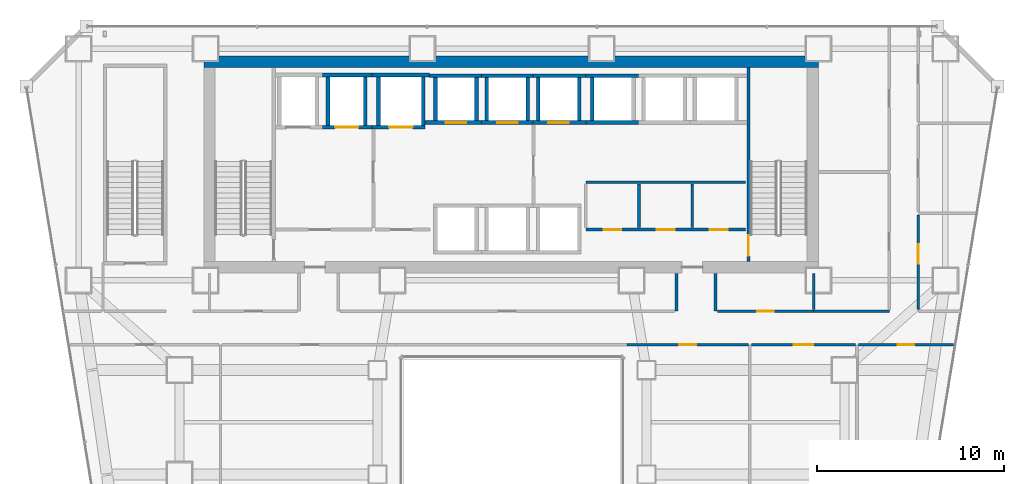
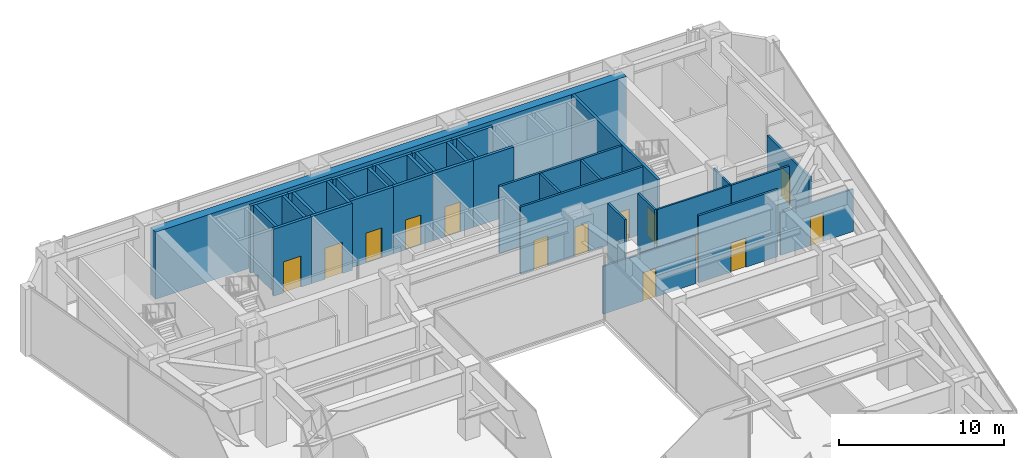
# One storey, part 38 of 42: 38 walls, 14 doors, 14 openings.
"""IFC4 building model written with IfcOpenShell, lengths in metres."""

from ifc_helpers import new_model, si_unit, direction, frame, frame_2d, origin, place, context, subcontext, project, spatial, rectangle, extrude, material, layer, layer_set, type_object, element, fill, save


model = new_model("IFC4")

# Units and contexts
model_context = context("Model", 3, precision=1e-05, world=origin(), true_north=direction((0.0, 1.0)))
body_context = subcontext(model_context, "Body", "Model", "MODEL_VIEW")
ifc_project = project(units=[si_unit("LENGTHUNIT", "METRE"), si_unit("AREAUNIT", "SQUARE_METRE"), si_unit("VOLUMEUNIT", "CUBIC_METRE"), si_unit("PLANEANGLEUNIT", "RADIAN"), si_unit("MASSUNIT", "GRAM", prefix="KILO")], contexts=[model_context])

# Site, building, storey
site_placement = place(None, origin())
site = spatial("IfcSite", under=ifc_project, at=site_placement, CompositionType="ELEMENT")
building_placement = place(site_placement, origin())
building = spatial("IfcBuilding", under=site, at=building_placement, Name="Saevonmaru Cultural Tower", CompositionType="ELEMENT")
storey_placement = place(building_placement, frame((0.0, 0.0, 33.0)))
storey = spatial("IfcBuildingStorey", under=building, at=storey_placement, Name="L06", CompositionType="ELEMENT", Elevation=33.0)

# Wall
ifc_material_1 = material(Name="Concrete C60/75", Category="concrete")
ifc_layer_1 = layer(ifc_material_1, 0.60009765625, Name="Concrete C60/75")
ifc_layer_set_1 = layer_set([ifc_layer_1], Name="Concrete C60/75")
wall_type_1 = type_object("IfcWallType", Name="WL-CORE-600", PredefinedType="SHEAR", material=ifc_layer_set_1)
wall_1_placement = place(storey_placement, frame((13.5, 54.10009765625, 0.0), z_axis=(0.0, 0.0, 1.0), x_axis=(1.0, 0.0, 0.0)))
element("IfcWall", 1, at=wall_1_placement, inside=storey, type_object=wall_type_1, Name="L06 Tower RC core shear wall N", PredefinedType="SHEAR", context=body_context, shape_type="SweptSolid", body=[
    extrude(rectangle(XDim=32.89990234375, YDim=0.60009765625, at=frame_2d((16.449951171875, 0.0))), origin(), (0.0, 0.0, 1.0), 4.949951171875),
])

# Wall, openings, doors
ifc_material_2 = material(Name="Gypsum Fireboard Partition", Category="gypsum")
ifc_layer_2 = layer(ifc_material_2, 0.14990234375, Name="Gypsum Fireboard Partition")
ifc_layer_set_2 = layer_set([ifc_layer_2], Name="Gypsum Fireboard Partition")
wall_type_2 = type_object("IfcWallType", Name="WL-CORE-PART-150", PredefinedType="PARTITIONING", material=ifc_layer_set_2)
wall_2_placement = place(storey_placement, frame((33.949951171875, 45.1201171875, 0.0), z_axis=(0.0, 0.0, 1.0), x_axis=(1.0, 0.0, 0.0)))
wall_2 = element("IfcWall", 2, at=wall_2_placement, inside=storey, type_object=wall_type_2, Name="L06 Core Utility South Wall", PredefinedType="PARTITIONING", context=body_context, shape_type="SweptSolid", body=[
    extrude(rectangle(XDim=8.550048828125, YDim=0.14990234375, at=frame_2d((4.27490234375, 0.0))), origin(), (0.0, 0.0, 1.0), 4.949951171875),
])
opening_1_placement = place(wall_2_placement, frame((0.949951171875, 0.0, 0.0)))
opening_1 = element("IfcOpeningElement", 3, at=opening_1_placement, cuts=wall_2, Name="Opening FD-4", PredefinedType="OPENING", context=body_context, shape_type="SweptSolid", body=[
    extrude(rectangle(XDim=0.949951171875, YDim=2.14990234375, at=frame_2d((0.47509765625, 1.074951171875))), frame((0.0, 0.0849609375, 0.0), z_axis=(0.0, -1.0, 0.0), x_axis=(1.0, 0.0, 0.0)), (0.0, 0.0, 1.0), 0.169921875),
])
opening_2_placement = place(wall_2_placement, frame((3.800048828125, 0.0, 0.0)))
opening_2 = element("IfcOpeningElement", 4, at=opening_2_placement, cuts=wall_2, Name="Opening FD-4", PredefinedType="OPENING", context=body_context, shape_type="SweptSolid", body=[
    extrude(rectangle(XDim=0.949951171875, YDim=2.14990234375, at=frame_2d((0.47509765625, 1.074951171875))), frame((0.0, 0.0849609375, 0.0), z_axis=(0.0, -1.0, 0.0), x_axis=(1.0, 0.0, 0.0)), (0.0, 0.0, 1.0), 0.169921875),
])
opening_3_placement = place(wall_2_placement, frame((6.64990234375, 0.0, 0.0)))
opening_3 = element("IfcOpeningElement", 5, at=opening_3_placement, cuts=wall_2, Name="Opening FD-4", PredefinedType="OPENING", context=body_context, shape_type="SweptSolid", body=[
    extrude(rectangle(XDim=0.949951171875, YDim=2.14990234375, at=frame_2d((0.47509765625, 1.074951171875))), frame((0.0, 0.0849609375, 0.0), z_axis=(0.0, -1.0, 0.0), x_axis=(1.0, 0.0, 0.0)), (0.0, 0.0, 1.0), 0.169921875),
])
ifc_material_3 = material(Name="Satin Bronze Anodised Aluminium", Category="aluminium")
door_type_1 = type_object("IfcDoorType", Name="DR-FD60-950", OperationType="SINGLE_SWING_LEFT", PredefinedType="DOOR", material=ifc_material_3)
door_1_placement = place(opening_1_placement, origin())
door_1 = element("IfcDoor", 6, at=door_1_placement, inside=storey, type_object=door_type_1, Name="L06 Meter Plant Door", OperationType="SINGLE_SWING_LEFT", OverallHeight=2.14990234375, OverallWidth=0.949951171875, PredefinedType="DOOR", context=body_context, shape_type="SweptSolid", body=[
    extrude(rectangle(XDim=0.949951171875, YDim=2.14990234375, at=frame_2d((0.47509765625, 1.074951171875))), frame((0.0, 0.02490234375, 0.0), z_axis=(0.0, -1.0, 0.0), x_axis=(1.0, 0.0, 0.0)), (0.0, 0.0, 1.0), 0.050048828125),
])
fill(opening_1, door_1)
door_2_placement = place(opening_2_placement, origin())
door_2 = element("IfcDoor", 7, at=door_2_placement, inside=storey, type_object=door_type_1, Name="L06 AV Rack Plant Door", OperationType="SINGLE_SWING_LEFT", OverallHeight=2.14990234375, OverallWidth=0.949951171875, PredefinedType="DOOR", context=body_context, shape_type="SweptSolid", body=[
    extrude(rectangle(XDim=0.949951171875, YDim=2.14990234375, at=frame_2d((0.47509765625, 1.074951171875))), frame((0.0, 0.02490234375, 0.0), z_axis=(0.0, -1.0, 0.0), x_axis=(1.0, 0.0, 0.0)), (0.0, 0.0, 1.0), 0.050048828125),
])
fill(opening_2, door_2)
door_3_placement = place(opening_3_placement, origin())
door_3 = element("IfcDoor", 8, at=door_3_placement, inside=storey, type_object=door_type_1, Name="L06 Archive Supply Storage Door", OperationType="SINGLE_SWING_LEFT", OverallHeight=2.14990234375, OverallWidth=0.949951171875, PredefinedType="DOOR", context=body_context, shape_type="SweptSolid", body=[
    extrude(rectangle(XDim=0.949951171875, YDim=2.14990234375, at=frame_2d((0.47509765625, 1.074951171875))), frame((0.0, 0.02490234375, 0.0), z_axis=(0.0, -1.0, 0.0), x_axis=(1.0, 0.0, 0.0)), (0.0, 0.0, 1.0), 0.050048828125),
])
fill(opening_3, door_3)

# Walls
wall_3_placement = place(storey_placement, frame((33.949951171875, 47.64990234375, 0.0), z_axis=(0.0, 0.0, 1.0), x_axis=(1.0, 0.0, 0.0)))
element("IfcWall", 9, at=wall_3_placement, inside=storey, type_object=wall_type_2, Name="L06 Core Utility North Wall", PredefinedType="PARTITIONING", context=body_context, shape_type="SweptSolid", body=[
    extrude(rectangle(XDim=8.550048828125, YDim=0.14990234375, at=frame_2d((4.27490234375, 0.0))), origin(), (0.0, 0.0, 1.0), 4.949951171875),
])
for number, where, z_axis, x_axis, name in (
    (10, (36.800048828125, 45.219970703125, 0.0), (0.0, 0.0, 1.0), (0.0, 1.0, 0.0), "L06 Utility Divider 1"),
    (11, (39.64990234375, 45.219970703125, 0.0), (0.0, 0.0, 1.0), (0.0, 1.0, 0.0), "L06 Utility Divider 2"),
):
    element("IfcWall", number, at=place(storey_placement, frame(where, z_axis=z_axis, x_axis=x_axis)), inside=storey, type_object=wall_type_2, Name=name, PredefinedType="PARTITIONING", context=body_context, shape_type="SweptSolid", body=[
        extrude(rectangle(XDim=2.330078125, YDim=0.14990234375, at=frame_2d((1.1650390625, 0.0))), origin(), (0.0, 0.0, 1.0), 4.949951171875),
    ])

# Wall, opening, door
ifc_layer_3 = layer(ifc_material_2, 0.14990234375, Name="Gypsum Fireboard Partition")
ifc_layer_set_3 = layer_set([ifc_layer_3], Name="Gypsum Fireboard Partition")
wall_type_3 = type_object("IfcWallType", Name="WL-PART-FIRE-150", PredefinedType="PARTITIONING", material=ifc_layer_set_3)
wall_4_placement = place(storey_placement, frame((51.75, 40.83740234375, 0.0), z_axis=(0.0, 0.0, 1.0), x_axis=(0.0, 1.0, 0.0)))
wall_4 = element("IfcWall", 12, at=wall_4_placement, inside=storey, type_object=wall_type_3, Name="L06 Permanent Exhibition Gallery Corridor Wall", PredefinedType="PARTITIONING", context=body_context, shape_type="SweptSolid", body=[
    extrude(rectangle(XDim=5.0751953125, YDim=0.14990234375, at=frame_2d((2.53759765625, 0.0))), origin(), (0.0, 0.0, 1.0), 3.534912109375),
])
opening_4_placement = place(wall_4_placement, frame((2.452880859375, 0.0, 0.0)))
opening_4 = element("IfcOpeningElement", 13, at=opening_4_placement, cuts=wall_4, Name="Opening ID-1", PredefinedType="OPENING", context=body_context, shape_type="SweptSolid", body=[
    extrude(rectangle(XDim=1.050048828125, YDim=2.14990234375, at=frame_2d((0.52490234375, 1.074951171875))), frame((0.0, 0.0849609375, 0.0), z_axis=(0.0, -1.0, 0.0), x_axis=(1.0, 0.0, 0.0)), (0.0, 0.0, 1.0), 0.169921875),
])
door_type_2 = type_object("IfcDoorType", Name="DR-INT-1050", OperationType="SINGLE_SWING_LEFT", PredefinedType="DOOR", material=ifc_material_3)
door_4_placement = place(opening_4_placement, origin())
door_4 = element("IfcDoor", 14, at=door_4_placement, inside=storey, type_object=door_type_2, Name="L06 Permanent Exhibition Gallery Door", OperationType="SINGLE_SWING_RIGHT", OverallHeight=2.14990234375, OverallWidth=1.050048828125, PredefinedType="DOOR", context=body_context, shape_type="SweptSolid", body=[
    extrude(rectangle(XDim=1.050048828125, YDim=2.14990234375, at=frame_2d((0.52490234375, 1.074951171875))), frame((0.0, 0.02490234375, 0.0), z_axis=(0.0, -1.0, 0.0), x_axis=(1.0, 0.0, 0.0)), (0.0, 0.0, 1.0), 0.050048828125),
])
fill(opening_4, door_4)

# Walls
for number, where, z_axis, x_axis, name in (
    (15, (38.800048828125, 40.75, 0.0), (0.0, 0.0, 1.0), (0.0, 1.0, 0.0), "L06 Core Portal Side Wall E1"),
    (16, (40.89990234375, 40.75, 0.0), (0.0, 0.0, 1.0), (0.0, 1.0, 0.0), "L06 Core Portal Side Wall E2"),
):
    element("IfcWall", number, at=place(storey_placement, frame(where, z_axis=z_axis, x_axis=x_axis)), inside=storey, type_object=wall_type_3, Name=name, PredefinedType="PARTITIONING", context=body_context, shape_type="SweptSolid", body=[
        extrude(rectangle(XDim=2.030029296875, YDim=0.14990234375, at=frame_2d((1.01513671875, 0.0))), origin(), (0.0, 0.0, 1.0), 4.949951171875),
    ])

# Wall, opening, door
wall_5_placement = place(storey_placement, frame((42.827392578125, 38.949951171875, 0.0), z_axis=(0.0, 0.0, 1.0), x_axis=(1.0, 0.0, 0.0)))
wall_5 = element("IfcWall", 17, at=wall_5_placement, inside=storey, type_object=wall_type_3, Name="L06 Permanent Exhibition Gallery Corridor Wall", PredefinedType="PARTITIONING", context=body_context, shape_type="SweptSolid", body=[
    extrude(rectangle(XDim=5.55517578125, YDim=0.14990234375, at=frame_2d((2.777587890625, 0.0))), origin(), (0.0, 0.0, 1.0), 4.949951171875),
])
opening_5_placement = place(wall_5_placement, frame((2.251953125, 0.0, 0.0)))
opening_5 = element("IfcOpeningElement", 18, at=opening_5_placement, cuts=wall_5, Name="Opening ID-1", PredefinedType="OPENING", context=body_context, shape_type="SweptSolid", body=[
    extrude(rectangle(XDim=1.050048828125, YDim=2.14990234375, at=frame_2d((0.52490234375, 1.074951171875))), frame((0.0, 0.0849609375, 0.0), z_axis=(0.0, -1.0, 0.0), x_axis=(1.0, 0.0, 0.0)), (0.0, 0.0, 1.0), 0.169921875),
])
door_5_placement = place(opening_5_placement, origin())
door_5 = element("IfcDoor", 19, at=door_5_placement, inside=storey, type_object=door_type_2, Name="L06 Permanent Exhibition Gallery Door", OperationType="SINGLE_SWING_LEFT", OverallHeight=2.14990234375, OverallWidth=1.050048828125, PredefinedType="DOOR", context=body_context, shape_type="SweptSolid", body=[
    extrude(rectangle(XDim=1.050048828125, YDim=2.14990234375, at=frame_2d((0.52490234375, 1.074951171875))), frame((0.0, 0.02490234375, 0.0), z_axis=(0.0, -1.0, 0.0), x_axis=(1.0, 0.0, 0.0)), (0.0, 0.0, 1.0), 0.050048828125),
])
fill(opening_5, door_5)

ifc_layer_4 = layer(ifc_material_2, 0.1201171875, Name="Gypsum Fireboard Partition")
ifc_layer_set_4 = layer_set([ifc_layer_4], Name="Gypsum Fireboard Partition")
wall_type_4 = type_object("IfcWallType", Name="WL-PART-GYP-120", PredefinedType="PARTITIONING", material=ifc_layer_set_4)
wall_6_placement = place(storey_placement, frame((40.9951171875, 40.75, 0.0), z_axis=(0.0, 0.0, 1.0), x_axis=(1.0, 0.0, 0.0)))
wall_6 = element("IfcWall", 20, at=wall_6_placement, inside=storey, type_object=wall_type_4, Name="L06 Editorial Fellows Office Corridor Wall", PredefinedType="PARTITIONING", context=body_context, shape_type="SweptSolid", body=[
    extrude(rectangle(XDim=5.15478515625, YDim=0.1201171875, at=frame_2d((2.577392578125, 0.0))), origin(), (0.0, 0.0, 1.0), 4.949951171875),
])
opening_6_placement = place(wall_6_placement, frame((2.1279296875, 0.0, 0.0)))
opening_6 = element("IfcOpeningElement", 21, at=opening_6_placement, cuts=wall_6, Name="Opening ID-2", PredefinedType="OPENING", context=body_context, shape_type="SweptSolid", body=[
    extrude(rectangle(XDim=0.89990234375, YDim=2.10009765625, at=frame_2d((0.449951171875, 1.050048828125))), frame((0.0, 0.070068359375, 0.0), z_axis=(0.0, -1.0, 0.0), x_axis=(1.0, 0.0, 0.0)), (0.0, 0.0, 1.0), 0.14013671875),
])
ifc_material_4 = material(Name="Acoustic Stained Oak Timber", Category="wood")
door_type_3 = type_object("IfcDoorType", Name="DR-INT-900", OperationType="SINGLE_SWING_RIGHT", PredefinedType="DOOR", material=ifc_material_4)
door_6_placement = place(opening_6_placement, origin())
door_6 = element("IfcDoor", 22, at=door_6_placement, inside=storey, type_object=door_type_3, Name="L06 Editorial Fellows Office Door", OperationType="SINGLE_SWING_LEFT", OverallHeight=2.10009765625, OverallWidth=0.89990234375, PredefinedType="DOOR", context=body_context, shape_type="SweptSolid", body=[
    extrude(rectangle(XDim=0.89990234375, YDim=2.10009765625, at=frame_2d((0.449951171875, 1.050048828125))), frame((0.0, 0.02490234375, 0.0), z_axis=(0.0, -1.0, 0.0), x_axis=(1.0, 0.0, 0.0)), (0.0, 0.0, 1.0), 0.050048828125),
])
fill(opening_6, door_6)

wall_7_placement = place(storey_placement, frame((36.14990234375, 38.949951171875, 0.0), z_axis=(0.0, 0.0, 1.0), x_axis=(1.0, 0.0, 0.0)))
wall_7 = element("IfcWall", 23, at=wall_7_placement, inside=storey, type_object=wall_type_4, Name="L06 Editorial Fellows Office Corridor Wall", PredefinedType="PARTITIONING", context=body_context, shape_type="SweptSolid", body=[
    extrude(rectangle(XDim=6.502685546875, YDim=0.1201171875, at=frame_2d((3.25146484375, 0.0))), origin(), (0.0, 0.0, 1.0), 3.534912109375),
])
opening_7_placement = place(wall_7_placement, frame((2.801025390625, 0.0, 0.0)))
opening_7 = element("IfcOpeningElement", 24, at=opening_7_placement, cuts=wall_7, Name="Opening ID-2", PredefinedType="OPENING", context=body_context, shape_type="SweptSolid", body=[
    extrude(rectangle(XDim=0.89990234375, YDim=2.10009765625, at=frame_2d((0.449951171875, 1.050048828125))), frame((0.0, 0.070068359375, 0.0), z_axis=(0.0, -1.0, 0.0), x_axis=(1.0, 0.0, 0.0)), (0.0, 0.0, 1.0), 0.14013671875),
])
door_7_placement = place(opening_7_placement, origin())
door_7 = element("IfcDoor", 25, at=door_7_placement, inside=storey, type_object=door_type_3, Name="L06 Editorial Fellows Office Door", OperationType="SINGLE_SWING_RIGHT", OverallHeight=2.10009765625, OverallWidth=0.89990234375, PredefinedType="DOOR", context=body_context, shape_type="SweptSolid", body=[
    extrude(rectangle(XDim=0.89990234375, YDim=2.10009765625, at=frame_2d((0.449951171875, 1.050048828125))), frame((0.0, 0.02490234375, 0.0), z_axis=(0.0, -1.0, 0.0), x_axis=(1.0, 0.0, 0.0)), (0.0, 0.0, 1.0), 0.050048828125),
])
fill(opening_7, door_7)

wall_8_placement = place(storey_placement, frame((48.5576171875, 38.949951171875, 0.0), z_axis=(0.0, 0.0, 1.0), x_axis=(1.0, 0.0, 0.0)))
wall_8 = element("IfcWall", 26, at=wall_8_placement, inside=storey, type_object=wall_type_4, Name="L06 Design Seminar Classroom Corridor Wall", PredefinedType="PARTITIONING", context=body_context, shape_type="SweptSolid", body=[
    extrude(rectangle(XDim=5.07958984375, YDim=0.1201171875, at=frame_2d((2.539794921875, 0.0))), origin(), (0.0, 0.0, 1.0), 3.135009765625),
])
opening_8_placement = place(wall_8_placement, frame((2.090087890625, 0.0, 0.0)))
opening_8 = element("IfcOpeningElement", 27, at=opening_8_placement, cuts=wall_8, Name="Opening ID-2", PredefinedType="OPENING", context=body_context, shape_type="SweptSolid", body=[
    extrude(rectangle(XDim=0.89990234375, YDim=2.10009765625, at=frame_2d((0.449951171875, 1.050048828125))), frame((0.0, 0.070068359375, 0.0), z_axis=(0.0, -1.0, 0.0), x_axis=(1.0, 0.0, 0.0)), (0.0, 0.0, 1.0), 0.14013671875),
])
door_8_placement = place(opening_8_placement, origin())
door_8 = element("IfcDoor", 28, at=door_8_placement, inside=storey, type_object=door_type_3, Name="L06 Design Seminar Classroom Door", OperationType="SINGLE_SWING_RIGHT", OverallHeight=2.10009765625, OverallWidth=0.89990234375, PredefinedType="DOOR", context=body_context, shape_type="SweptSolid", body=[
    extrude(rectangle(XDim=0.89990234375, YDim=2.10009765625, at=frame_2d((0.449951171875, 1.050048828125))), frame((0.0, 0.02490234375, 0.0), z_axis=(0.0, -1.0, 0.0), x_axis=(1.0, 0.0, 0.0)), (0.0, 0.0, 1.0), 0.050048828125),
])
fill(opening_8, door_8)

# Walls
ifc_layer_5 = layer(ifc_material_2, 0.139892578125, Name="Gypsum Fireboard Partition")
ifc_layer_set_5 = layer_set([ifc_layer_5], Name="Gypsum Fireboard Partition")
wall_type_5 = type_object("IfcWallType", Name="WL-PART-WET-140", PredefinedType="PARTITIONING", material=ifc_layer_set_5)
wall_9_placement = place(storey_placement, frame((46.14990234375, 40.75, 0.0), z_axis=(0.0, 0.0, 1.0), x_axis=(1.0, 0.0, 0.0)))
element("IfcWall", 29, at=wall_9_placement, inside=storey, type_object=wall_type_5, Name="L06 Washroom South Wall", PredefinedType="PARTITIONING", context=body_context, shape_type="SweptSolid", body=[
    extrude(rectangle(XDim=4.050048828125, YDim=0.139892578125, at=frame_2d((2.02490234375, 0.0))), origin(), (0.0, 0.0, 1.0), 4.949951171875),
])
wall_10_placement = place(storey_placement, frame((46.14990234375, 40.840087890625, 0.0), z_axis=(0.0, 0.0, 1.0), x_axis=(0.0, 1.0, 0.0)))
element("IfcWall", 30, at=wall_10_placement, inside=storey, type_object=wall_type_5, Name="L06 Washroom South-West Return", PredefinedType="PARTITIONING", context=body_context, shape_type="SweptSolid", body=[
    extrude(rectangle(XDim=1.93994140625, YDim=0.139892578125, at=frame_2d((0.969970703125, 0.0))), origin(), (0.0, 0.0, 1.0), 4.949951171875),
])

# Wall, opening, door
ifc_material_5 = material(Name="Concrete C40/50", Category="concrete")
ifc_layer_6 = layer(ifc_material_5, 0.199951171875, Name="Concrete C40/50")
ifc_layer_set_6 = layer_set([ifc_layer_6], Name="Concrete C40/50")
wall_type_6 = type_object("IfcWallType", Name="WL-SHAFT-200", PredefinedType="SHEAR", material=ifc_layer_set_6)
wall_11_placement = place(storey_placement, frame((19.85009765625, 50.60009765625, 0.0), z_axis=(0.0, 0.0, 1.0), x_axis=(1.0, 0.0, 0.0)))
wall_11 = element("IfcWall", 31, at=wall_11_placement, inside=storey, type_object=wall_type_6, Name="L06 Lift FFL-2 Hoistway Wall S", PredefinedType="SHEAR", context=body_context, shape_type="SweptSolid", body=[
    extrude(rectangle(XDim=2.64990234375, YDim=0.199951171875, at=frame_2d((1.324951171875, 0.0))), origin(), (0.0, 0.0, 1.0), 4.949951171875),
])
opening_9_placement = place(wall_11_placement, frame((0.675048828125, 0.0, 0.0)))
opening_9 = element("IfcOpeningElement", 32, at=opening_9_placement, cuts=wall_11, Name="Opening LD-2", PredefinedType="OPENING", context=body_context, shape_type="SweptSolid", body=[
    extrude(rectangle(XDim=1.25, YDim=2.300048828125, at=frame_2d((0.625, 1.14990234375))), frame((0.0, 0.10986328125, 0.0), z_axis=(0.0, -1.0, 0.0), x_axis=(1.0, 0.0, 0.0)), (0.0, 0.0, 1.0), 0.219970703125),
])
ifc_material_6 = material(Name="Stainless Steel 316", Category="steel")
door_type_4 = type_object("IfcDoorType", Name="DR-LIFT-1250", OperationType="SLIDING_TO_LEFT", PredefinedType="DOOR", material=ifc_material_6)
door_9_placement = place(opening_9_placement, origin())
door_9 = element("IfcDoor", 33, at=door_9_placement, inside=storey, type_object=door_type_4, Name="L06 Lift FFL-2 Sliding Landing Door", OperationType="SLIDING_TO_LEFT", OverallHeight=2.300048828125, OverallWidth=1.25, PredefinedType="DOOR", context=body_context, shape_type="SweptSolid", body=[
    extrude(rectangle(XDim=1.25, YDim=2.300048828125, at=frame_2d((0.625, 1.14990234375))), frame((0.0, 0.02490234375, 0.0), z_axis=(0.0, -1.0, 0.0), x_axis=(1.0, 0.0, 0.0)), (0.0, 0.0, 1.0), 0.050048828125),
])
fill(opening_9, door_9)

# Walls
wall_12_placement = place(storey_placement, frame((19.85009765625, 53.39990234375, 0.0), z_axis=(0.0, 0.0, 1.0), x_axis=(1.0, 0.0, 0.0)))
element("IfcWall", 34, at=wall_12_placement, inside=storey, type_object=wall_type_6, Name="L06 Lift FFL-2 Hoistway Wall N", PredefinedType="SHEAR", context=body_context, shape_type="SweptSolid", body=[
    extrude(rectangle(XDim=2.64990234375, YDim=0.199951171875, at=frame_2d((1.324951171875, 0.0))), origin(), (0.0, 0.0, 1.0), 4.949951171875),
])
for number, where, z_axis, x_axis, name in (
    (35, (20.14990234375, 50.699951171875, 0.0), (0.0, 0.0, 1.0), (0.0, 1.0, 0.0), "L06 Lift FFL-2 Hoistway Wall W"),
    (36, (22.14990234375, 50.699951171875, 0.0), (0.0, 0.0, 1.0), (0.0, 1.0, 0.0), "L06 Lift FFL-2 Hoistway Wall E"),
):
    element("IfcWall", number, at=place(storey_placement, frame(where, z_axis=z_axis, x_axis=x_axis)), inside=storey, type_object=wall_type_6, Name=name, PredefinedType="SHEAR", context=body_context, shape_type="SweptSolid", body=[
        extrude(rectangle(XDim=2.60009765625, YDim=0.199951171875, at=frame_2d((1.300048828125, 0.0))), origin(), (0.0, 0.0, 1.0), 4.949951171875),
    ])

# Wall, opening, door
wall_13_placement = place(storey_placement, frame((22.5, 50.60009765625, 0.0), z_axis=(0.0, 0.0, 1.0), x_axis=(1.0, 0.0, 0.0)))
wall_13 = element("IfcWall", 37, at=wall_13_placement, inside=storey, type_object=wall_type_6, Name="L06 Lift GL-1 Hoistway Wall S", PredefinedType="SHEAR", context=body_context, shape_type="SweptSolid", body=[
    extrude(rectangle(XDim=2.85009765625, YDim=0.199951171875, at=frame_2d((1.425048828125, 0.0))), origin(), (0.0, 0.0, 1.0), 4.949951171875),
])
opening_10_placement = place(wall_13_placement, frame((0.925048828125, 0.0, 0.0)))
opening_10 = element("IfcOpeningElement", 38, at=opening_10_placement, cuts=wall_13, Name="Opening LD-2", PredefinedType="OPENING", context=body_context, shape_type="SweptSolid", body=[
    extrude(rectangle(XDim=1.25, YDim=2.300048828125, at=frame_2d((0.625, 1.14990234375))), frame((0.0, 0.10986328125, 0.0), z_axis=(0.0, -1.0, 0.0), x_axis=(1.0, 0.0, 0.0)), (0.0, 0.0, 1.0), 0.219970703125),
])
door_10_placement = place(opening_10_placement, origin())
door_10 = element("IfcDoor", 39, at=door_10_placement, inside=storey, type_object=door_type_4, Name="L06 Lift GL-1 Sliding Landing Door", OperationType="SLIDING_TO_LEFT", OverallHeight=2.300048828125, OverallWidth=1.25, PredefinedType="DOOR", context=body_context, shape_type="SweptSolid", body=[
    extrude(rectangle(XDim=1.25, YDim=2.300048828125, at=frame_2d((0.625, 1.14990234375))), frame((0.0, 0.02490234375, 0.0), z_axis=(0.0, -1.0, 0.0), x_axis=(1.0, 0.0, 0.0)), (0.0, 0.0, 1.0), 0.050048828125),
])
fill(opening_10, door_10)

# Walls
wall_14_placement = place(storey_placement, frame((22.5, 53.39990234375, 0.0), z_axis=(0.0, 0.0, 1.0), x_axis=(1.0, 0.0, 0.0)))
element("IfcWall", 40, at=wall_14_placement, inside=storey, type_object=wall_type_6, Name="L06 Lift GL-1 Hoistway Wall N", PredefinedType="SHEAR", context=body_context, shape_type="SweptSolid", body=[
    extrude(rectangle(XDim=3.074951171875, YDim=0.199951171875, at=frame_2d((1.53759765625, 0.0))), origin(), (0.0, 0.0, 1.0), 4.949951171875),
])
for number, where, z_axis, x_axis, name in (
    (41, (22.85009765625, 50.699951171875, 0.0), (0.0, 0.0, 1.0), (0.0, 1.0, 0.0), "L06 Lift GL-1 Hoistway Wall W"),
    (42, (25.25, 50.699951171875, 0.0), (0.0, 0.0, 1.0), (0.0, 1.0, 0.0), "L06 Lift GL-1 Hoistway Wall E"),
):
    element("IfcWall", number, at=place(storey_placement, frame(where, z_axis=z_axis, x_axis=x_axis)), inside=storey, type_object=wall_type_6, Name=name, PredefinedType="SHEAR", context=body_context, shape_type="SweptSolid", body=[
        extrude(rectangle(XDim=2.60009765625, YDim=0.199951171875, at=frame_2d((1.300048828125, 0.0))), origin(), (0.0, 0.0, 1.0), 4.949951171875),
    ])

# Wall, opening, door
wall_15_placement = place(storey_placement, frame((25.35009765625, 50.85009765625, 0.0), z_axis=(0.0, 0.0, 1.0), x_axis=(1.0, 0.0, 0.0)))
wall_15 = element("IfcWall", 43, at=wall_15_placement, inside=storey, type_object=wall_type_6, Name="L06 Lift PL-L1 Hoistway Wall S", PredefinedType="SHEAR", context=body_context, shape_type="SweptSolid", body=[
    extrude(rectangle(XDim=3.02490234375, YDim=0.199951171875, at=frame_2d((1.512451171875, 0.0))), origin(), (0.0, 0.0, 1.0), 4.949951171875),
])
opening_11_placement = place(wall_15_placement, frame((1.10009765625, 0.0, 0.0)))
opening_11 = element("IfcOpeningElement", 44, at=opening_11_placement, cuts=wall_15, Name="Opening LD-1", PredefinedType="OPENING", context=body_context, shape_type="SweptSolid", body=[
    extrude(rectangle(XDim=1.10009765625, YDim=2.199951171875, at=frame_2d((0.550048828125, 1.10009765625))), frame((0.0, 0.10986328125, 0.0), z_axis=(0.0, -1.0, 0.0), x_axis=(1.0, 0.0, 0.0)), (0.0, 0.0, 1.0), 0.219970703125),
])
ifc_material_7 = material(Name="Satin Bronze Stainless Steel", Category="steel")
door_type_5 = type_object("IfcDoorType", Name="DR-LIFT-1100", OperationType="SLIDING_TO_LEFT", PredefinedType="DOOR", material=ifc_material_7)
door_11_placement = place(opening_11_placement, origin())
door_11 = element("IfcDoor", 45, at=door_11_placement, inside=storey, type_object=door_type_5, Name="L06 Lift PL-L1 Sliding Landing Door", OperationType="SLIDING_TO_LEFT", OverallHeight=2.199951171875, OverallWidth=1.10009765625, PredefinedType="DOOR", context=body_context, shape_type="SweptSolid", body=[
    extrude(rectangle(XDim=1.10009765625, YDim=2.199951171875, at=frame_2d((0.550048828125, 1.10009765625))), frame((0.0, 0.02490234375, 0.0), z_axis=(0.0, -1.0, 0.0), x_axis=(1.0, 0.0, 0.0)), (0.0, 0.0, 1.0), 0.050048828125),
])
fill(opening_11, door_11)

# Walls
wall_16_placement = place(storey_placement, frame((25.574951171875, 53.35009765625, 0.0), z_axis=(0.0, 0.0, 1.0), x_axis=(1.0, 0.0, 0.0)))
element("IfcWall", 46, at=wall_16_placement, inside=storey, type_object=wall_type_6, Name="L06 Lift PL-L1 Hoistway Wall N", PredefinedType="SHEAR", context=body_context, shape_type="SweptSolid", body=[
    extrude(rectangle(XDim=2.800048828125, YDim=0.199951171875, at=frame_2d((1.39990234375, 0.0))), origin(), (0.0, 0.0, 1.0), 4.949951171875),
])
for number, where, z_axis, x_axis, name in (
    (47, (25.89990234375, 50.949951171875, 0.0), (0.0, 0.0, 1.0), (0.0, 1.0, 0.0), "L06 Lift PL-L1 Hoistway Wall W"),
    (48, (28.10009765625, 50.949951171875, 0.0), (0.0, 0.0, 1.0), (0.0, 1.0, 0.0), "L06 Lift PL-L1 Hoistway Wall E"),
):
    element("IfcWall", number, at=place(storey_placement, frame(where, z_axis=z_axis, x_axis=x_axis)), inside=storey, type_object=wall_type_6, Name=name, PredefinedType="SHEAR", context=body_context, shape_type="SweptSolid", body=[
        extrude(rectangle(XDim=2.300048828125, YDim=0.199951171875, at=frame_2d((1.14990234375, 0.0))), origin(), (0.0, 0.0, 1.0), 4.949951171875),
    ])

# Wall, opening, door
wall_17_placement = place(storey_placement, frame((28.375, 50.85009765625, 0.0), z_axis=(0.0, 0.0, 1.0), x_axis=(1.0, 0.0, 0.0)))
wall_17 = element("IfcWall", 49, at=wall_17_placement, inside=storey, type_object=wall_type_6, Name="L06 Lift PL-L2 Hoistway Wall S", PredefinedType="SHEAR", context=body_context, shape_type="SweptSolid", body=[
    extrude(rectangle(XDim=2.75, YDim=0.199951171875, at=frame_2d((1.375, 0.0))), origin(), (0.0, 0.0, 1.0), 4.949951171875),
])
opening_12_placement = place(wall_17_placement, frame((0.824951171875, 0.0, 0.0)))
opening_12 = element("IfcOpeningElement", 50, at=opening_12_placement, cuts=wall_17, Name="Opening LD-1", PredefinedType="OPENING", context=body_context, shape_type="SweptSolid", body=[
    extrude(rectangle(XDim=1.10009765625, YDim=2.199951171875, at=frame_2d((0.550048828125, 1.10009765625))), frame((0.0, 0.10986328125, 0.0), z_axis=(0.0, -1.0, 0.0), x_axis=(1.0, 0.0, 0.0)), (0.0, 0.0, 1.0), 0.219970703125),
])
door_12_placement = place(opening_12_placement, origin())
door_12 = element("IfcDoor", 51, at=door_12_placement, inside=storey, type_object=door_type_5, Name="L06 Lift PL-L2 Sliding Landing Door", OperationType="SLIDING_TO_LEFT", OverallHeight=2.199951171875, OverallWidth=1.10009765625, PredefinedType="DOOR", context=body_context, shape_type="SweptSolid", body=[
    extrude(rectangle(XDim=1.10009765625, YDim=2.199951171875, at=frame_2d((0.550048828125, 1.10009765625))), frame((0.0, 0.02490234375, 0.0), z_axis=(0.0, -1.0, 0.0), x_axis=(1.0, 0.0, 0.0)), (0.0, 0.0, 1.0), 0.050048828125),
])
fill(opening_12, door_12)

# Walls
wall_18_placement = place(storey_placement, frame((28.375, 53.35009765625, 0.0), z_axis=(0.0, 0.0, 1.0), x_axis=(1.0, 0.0, 0.0)))
element("IfcWall", 52, at=wall_18_placement, inside=storey, type_object=wall_type_6, Name="L06 Lift PL-L2 Hoistway Wall N", PredefinedType="SHEAR", context=body_context, shape_type="SweptSolid", body=[
    extrude(rectangle(XDim=2.75, YDim=0.199951171875, at=frame_2d((1.375, 0.0))), origin(), (0.0, 0.0, 1.0), 4.949951171875),
])
for number, where, z_axis, x_axis, name in (
    (53, (28.64990234375, 50.949951171875, 0.0), (0.0, 0.0, 1.0), (0.0, 1.0, 0.0), "L06 Lift PL-L2 Hoistway Wall W"),
    (54, (30.85009765625, 50.949951171875, 0.0), (0.0, 0.0, 1.0), (0.0, 1.0, 0.0), "L06 Lift PL-L2 Hoistway Wall E"),
):
    element("IfcWall", number, at=place(storey_placement, frame(where, z_axis=z_axis, x_axis=x_axis)), inside=storey, type_object=wall_type_6, Name=name, PredefinedType="SHEAR", context=body_context, shape_type="SweptSolid", body=[
        extrude(rectangle(XDim=2.300048828125, YDim=0.199951171875, at=frame_2d((1.14990234375, 0.0))), origin(), (0.0, 0.0, 1.0), 4.949951171875),
    ])

# Wall, opening, door
wall_19_placement = place(storey_placement, frame((31.125, 50.85009765625, 0.0), z_axis=(0.0, 0.0, 1.0), x_axis=(1.0, 0.0, 0.0)))
wall_19 = element("IfcWall", 55, at=wall_19_placement, inside=storey, type_object=wall_type_6, Name="L06 Lift PL-L3 Hoistway Wall S", PredefinedType="SHEAR", context=body_context, shape_type="SweptSolid", body=[
    extrude(rectangle(XDim=2.824951171875, YDim=0.199951171875, at=frame_2d((1.41259765625, 0.0))), origin(), (0.0, 0.0, 1.0), 4.949951171875),
])
opening_13_placement = place(wall_19_placement, frame((0.824951171875, 0.0, 0.0)))
opening_13 = element("IfcOpeningElement", 56, at=opening_13_placement, cuts=wall_19, Name="Opening LD-1", PredefinedType="OPENING", context=body_context, shape_type="SweptSolid", body=[
    extrude(rectangle(XDim=1.10009765625, YDim=2.199951171875, at=frame_2d((0.550048828125, 1.10009765625))), frame((0.0, 0.10986328125, 0.0), z_axis=(0.0, -1.0, 0.0), x_axis=(1.0, 0.0, 0.0)), (0.0, 0.0, 1.0), 0.219970703125),
])
door_13_placement = place(opening_13_placement, origin())
door_13 = element("IfcDoor", 57, at=door_13_placement, inside=storey, type_object=door_type_5, Name="L06 Lift PL-L3 Sliding Landing Door", OperationType="SLIDING_TO_LEFT", OverallHeight=2.199951171875, OverallWidth=1.10009765625, PredefinedType="DOOR", context=body_context, shape_type="SweptSolid", body=[
    extrude(rectangle(XDim=1.10009765625, YDim=2.199951171875, at=frame_2d((0.550048828125, 1.10009765625))), frame((0.0, 0.02490234375, 0.0), z_axis=(0.0, -1.0, 0.0), x_axis=(1.0, 0.0, 0.0)), (0.0, 0.0, 1.0), 0.050048828125),
])
fill(opening_13, door_13)

# Walls
wall_20_placement = place(storey_placement, frame((31.125, 53.35009765625, 0.0), z_axis=(0.0, 0.0, 1.0), x_axis=(1.0, 0.0, 0.0)))
element("IfcWall", 58, at=wall_20_placement, inside=storey, type_object=wall_type_6, Name="L06 Lift PL-L3 Hoistway Wall N", PredefinedType="SHEAR", context=body_context, shape_type="SweptSolid", body=[
    extrude(rectangle(XDim=2.824951171875, YDim=0.199951171875, at=frame_2d((1.41259765625, 0.0))), origin(), (0.0, 0.0, 1.0), 4.949951171875),
])
for number, where, z_axis, x_axis, name in (
    (59, (31.39990234375, 50.949951171875, 0.0), (0.0, 0.0, 1.0), (0.0, 1.0, 0.0), "L06 Lift PL-L3 Hoistway Wall W"),
    (60, (33.60009765625, 50.949951171875, 0.0), (0.0, 0.0, 1.0), (0.0, 1.0, 0.0), "L06 Lift PL-L3 Hoistway Wall E"),
):
    element("IfcWall", number, at=place(storey_placement, frame(where, z_axis=z_axis, x_axis=x_axis)), inside=storey, type_object=wall_type_6, Name=name, PredefinedType="SHEAR", context=body_context, shape_type="SweptSolid", body=[
        extrude(rectangle(XDim=2.300048828125, YDim=0.199951171875, at=frame_2d((1.14990234375, 0.0))), origin(), (0.0, 0.0, 1.0), 4.949951171875),
    ])
for number, where, z_axis, x_axis, name in (
    (61, (33.949951171875, 50.85009765625, 0.0), (0.0, 0.0, 1.0), (1.0, 0.0, 0.0), "L06 Lift PL-H1 Hoistway Wall S"),
    (62, (33.949951171875, 53.35009765625, 0.0), (0.0, 0.0, 1.0), (1.0, 0.0, 0.0), "L06 Lift PL-H1 Hoistway Wall N"),
):
    element("IfcWall", number, at=place(storey_placement, frame(where, z_axis=z_axis, x_axis=x_axis)), inside=storey, type_object=wall_type_6, Name=name, PredefinedType="SHEAR", context=body_context, shape_type="SweptSolid", body=[
        extrude(rectangle(XDim=2.824951171875, YDim=0.199951171875, at=frame_2d((1.41259765625, 0.0))), origin(), (0.0, 0.0, 1.0), 4.949951171875),
    ])
wall_21_placement = place(storey_placement, frame((34.300048828125, 50.949951171875, 0.0), z_axis=(0.0, 0.0, 1.0), x_axis=(0.0, 1.0, 0.0)))
element("IfcWall", 63, at=wall_21_placement, inside=storey, type_object=wall_type_6, Name="L06 Lift PL-H1 Hoistway Wall W", PredefinedType="SHEAR", context=body_context, shape_type="SweptSolid", body=[
    extrude(rectangle(XDim=2.300048828125, YDim=0.199951171875, at=frame_2d((1.14990234375, 0.0))), origin(), (0.0, 0.0, 1.0), 4.949951171875),
])

# Wall, opening, door
ifc_layer_7 = layer(ifc_material_5, 0.179931640625, Name="Concrete C40/50")
ifc_layer_set_7 = layer_set([ifc_layer_7], Name="Concrete C40/50")
wall_type_7 = type_object("IfcWallType", Name="WL-STSHAFT-180", PredefinedType="SHEAR", material=ifc_layer_set_7)
wall_22_placement = place(storey_placement, frame((42.659912109375, 53.800048828125, 0.0), z_axis=(0.0, 0.0, 1.0), x_axis=(0.0, -1.0, 0.0)))
wall_22 = element("IfcWall", 64, at=wall_22_placement, inside=storey, type_object=wall_type_7, Name="L06 Stair ST-2 Structural Shaft Wall 1", PredefinedType="SHEAR", context=body_context, shape_type="SweptSolid", body=[
    extrude(rectangle(XDim=10.400146484375, YDim=0.179931640625, at=frame_2d((5.2001953125, 0.0))), origin(), (0.0, 0.0, 1.0), 4.949951171875),
])
opening_14_placement = place(wall_22_placement, frame((8.989990234375, 0.0, 0.0)))
opening_14 = element("IfcOpeningElement", 65, at=opening_14_placement, cuts=wall_22, Name="Opening FD-2", PredefinedType="OPENING", context=body_context, shape_type="SweptSolid", body=[
    extrude(rectangle(XDim=1.10009765625, YDim=2.14990234375, at=frame_2d((0.550048828125, 1.074951171875))), frame((0.0, 0.10009765625, 0.0), z_axis=(0.0, -1.0, 0.0), x_axis=(1.0, 0.0, 0.0)), (0.0, 0.0, 1.0), 0.199951171875),
])
door_type_6 = type_object("IfcDoorType", Name="DR-FD60-1100", OperationType="SINGLE_SWING_LEFT", PredefinedType="DOOR", material=ifc_material_3)
door_14_placement = place(opening_14_placement, origin())
door_14 = element("IfcDoor", 66, at=door_14_placement, inside=storey, type_object=door_type_6, Name="L06 Protected Stair ST-2 Fire Door", OperationType="SINGLE_SWING_LEFT", OverallHeight=2.14990234375, OverallWidth=1.10009765625, PredefinedType="DOOR", context=body_context, shape_type="SweptSolid", body=[
    extrude(rectangle(XDim=1.10009765625, YDim=2.14990234375, at=frame_2d((0.550048828125, 1.074951171875))), frame((0.0, 0.02490234375, 0.0), z_axis=(0.0, -1.0, 0.0), x_axis=(1.0, 0.0, 0.0)), (0.0, 0.0, 1.0), 0.050048828125),
])
fill(opening_14, door_14)

save(model, "model.ifc")
